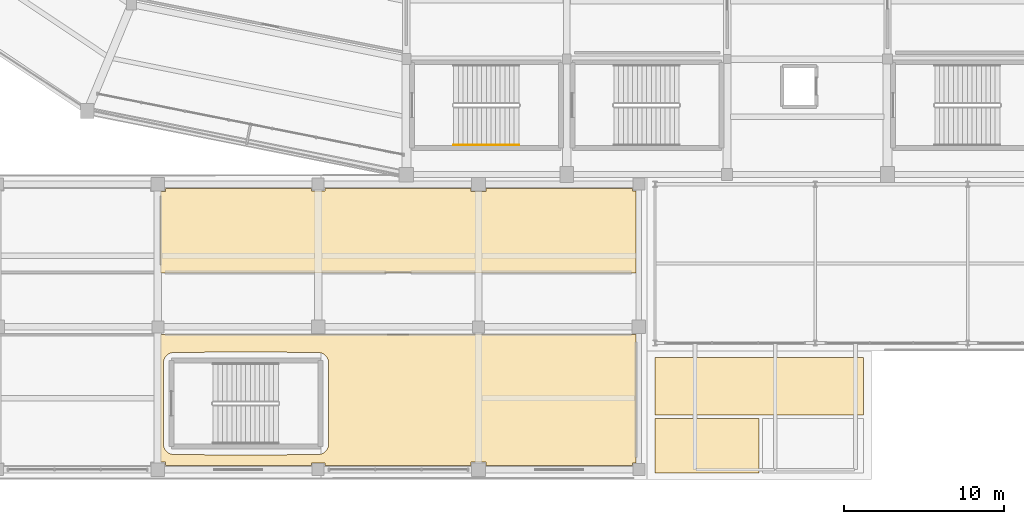
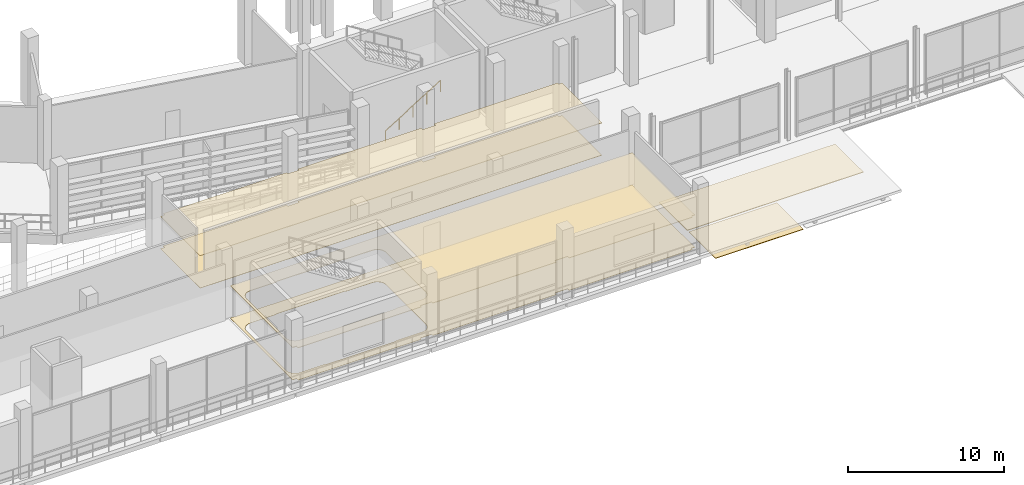
# One storey, part 94 of 114: 6 coverings, 1 railing.
"""IFC4 building model written with IfcOpenShell, lengths in metres."""

from ifc_helpers import new_model, si_unit, direction, frame, origin, origin_2d, place, context, subcontext, project, spatial, polyline, circle, outline, extrude, material, layer, layer_set, type_object, element, save


model = new_model("IFC4")

# Units and contexts
model_context = context("Model", 3, precision=1e-05, world=origin(), true_north=direction((0.0, 1.0)))
body_context = subcontext(model_context, "Body", "Model", "MODEL_VIEW")
ifc_project = project(units=[si_unit("LENGTHUNIT", "METRE"), si_unit("AREAUNIT", "SQUARE_METRE"), si_unit("VOLUMEUNIT", "CUBIC_METRE"), si_unit("PLANEANGLEUNIT", "RADIAN"), si_unit("MASSUNIT", "GRAM", prefix="KILO")], contexts=[model_context])

# Site, building, storey
site_placement = place(None, origin())
site = spatial("IfcSite", under=ifc_project, at=site_placement, CompositionType="ELEMENT")
building_placement = place(site_placement, origin())
building = spatial("IfcBuilding", under=site, at=building_placement, Name="Candeia Ridge Stadium", CompositionType="ELEMENT")
storey_placement = place(building_placement, frame((0.0, 0.0, 5.39990234375)))
storey = spatial("IfcBuildingStorey", under=building, at=storey_placement, Name="L01", CompositionType="ELEMENT", Elevation=5.39990234375)

# Coverings
ifc_material_1 = material(Name="Basalt Terrazzo Finish", Category="masonry")
ifc_layer_1 = layer(ifc_material_1, 0.02490234375, Name="Basalt Terrazzo Finish", Category="masonry")
ifc_layer_set_1 = layer_set([ifc_layer_1], Name="Basalt Terrazzo Finish")
covering_type_1 = type_object("IfcCoveringType", Name="Polished Basalt Terrazzo Flooring 25", PredefinedType="FLOORING", material=ifc_layer_set_1)
covering_1_placement = place(storey_placement, origin())
element("IfcCovering", 1, at=covering_1_placement, inside=storey, type_object=covering_type_1, Name="Interior finish flooring Museum Auditorium & Trophy Salon", PredefinedType="FLOORING", context=body_context, shape_type="SweptSolid", body=[
    extrude(outline(polyline([(55.670166015625, 9.0029296875), (55.670654296875, 9.005859375), (55.67138671875, 9.0087890625), (55.67236328125, 9.011474609375), (55.673583984375, 9.01416015625), (55.675048828125, 9.0166015625), (55.6767578125, 9.01904296875), (55.6787109375, 9.021240234375), (55.680908203125, 9.023193359375), (55.683349609375, 9.02490234375), (55.685791015625, 9.026611328125), (55.6884765625, 9.027587890625), (55.69140625, 9.02880859375), (55.694091796875, 9.029296875), (55.697021484375, 9.02978515625), (55.699951171875, 9.030029296875), (85.300048828125, 9.030029296875), (85.302978515625, 9.02978515625), (85.305908203125, 9.029296875), (85.30859375, 9.02880859375), (85.3115234375, 9.027587890625), (85.314208984375, 9.026611328125), (85.316650390625, 9.02490234375), (85.319091796875, 9.023193359375), (85.3212890625, 9.021240234375), (85.3232421875, 9.01904296875), (85.324951171875, 9.0166015625), (85.326416015625, 9.01416015625), (85.32763671875, 9.011474609375), (85.32861328125, 9.0087890625), (85.329345703125, 9.005859375), (85.329833984375, 9.0029296875), (85.330078125, 9.0), (85.330078125, 1.014892578125), (85.0849609375, 1.014892578125), (85.0849609375, 0.8701171875), (75.965087890625, 0.8701171875), (75.965087890625, 1.06494140625), (75.034912109375, 1.06494140625), (75.034912109375, 0.8701171875), (65.9150390625, 0.8701171875), (65.9150390625, 1.014892578125), (65.0849609375, 1.014892578125), (65.0849609375, 0.8701171875), (55.965087890625, 0.8701171875), (55.965087890625, 1.06494140625), (55.669921875, 1.06494140625), (55.669921875, 9.0), (55.670166015625, 9.0029296875)]), holes=[polyline([(56.5, 7.89990234375), (56.48291015625, 7.899658203125), (56.453369140625, 7.898193359375), (56.419189453125, 7.894775390625), (56.39013671875, 7.890380859375), (56.3564453125, 7.8837890625), (56.327880859375, 7.876708984375), (56.294921875, 7.86669921875), (56.267333984375, 7.856689453125), (56.235595703125, 7.843505859375), (56.208984375, 7.8310546875), (56.1787109375, 7.814697265625), (56.1533203125, 7.799560546875), (56.124755859375, 7.780517578125), (56.101318359375, 7.762939453125), (56.07470703125, 7.7412109375), (56.052734375, 7.721435546875), (56.028564453125, 7.697265625), (56.0087890625, 7.67529296875), (55.987060546875, 7.648681640625), (55.969482421875, 7.625244140625), (55.950439453125, 7.5966796875), (55.935302734375, 7.5712890625), (55.9189453125, 7.541015625), (55.906494140625, 7.514404296875), (55.893310546875, 7.482666015625), (55.88330078125, 7.455078125), (55.873291015625, 7.422119140625), (55.8662109375, 7.3935546875), (55.859619140625, 7.35986328125), (55.855224609375, 7.330810546875), (55.851806640625, 7.296630859375), (55.850341796875, 7.26708984375), (55.85009765625, 7.25), (55.85009765625, 2.199951171875), (55.850341796875, 2.182861328125), (55.851806640625, 2.1533203125), (55.855224609375, 2.119140625), (55.859619140625, 2.090087890625), (55.8662109375, 2.056396484375), (55.873291015625, 2.02783203125), (55.88330078125, 1.9951171875), (55.893310546875, 1.96728515625), (55.906494140625, 1.935546875), (55.9189453125, 1.908935546875), (55.935302734375, 1.878662109375), (55.950439453125, 1.853515625), (55.969482421875, 1.82470703125), (55.987060546875, 1.80126953125), (56.0087890625, 1.774658203125), (56.028564453125, 1.752685546875), (56.052734375, 1.728515625), (56.07470703125, 1.708740234375), (56.101318359375, 1.68701171875), (56.124755859375, 1.66943359375), (56.1533203125, 1.650390625), (56.1787109375, 1.63525390625), (56.208984375, 1.618896484375), (56.235595703125, 1.6064453125), (56.267333984375, 1.59326171875), (56.294921875, 1.58349609375), (56.327880859375, 1.573486328125), (56.3564453125, 1.56640625), (56.39013671875, 1.5595703125), (56.419189453125, 1.55517578125), (56.453369140625, 1.552001953125), (56.48291015625, 1.55029296875), (56.5, 1.550048828125), (58.37060546875, 1.550048828125), (58.385009765625, 1.541259765625), (58.416015625, 1.526611328125), (58.448486328125, 1.51513671875), (58.481689453125, 1.506591796875), (58.515625, 1.501708984375), (58.550048828125, 1.5), (63.409912109375, 1.5), (63.4443359375, 1.501708984375), (63.478271484375, 1.506591796875), (63.51171875, 1.51513671875), (63.5439453125, 1.526611328125), (63.574951171875, 1.541259765625), (63.589599609375, 1.550048828125), (65.5, 1.550048828125), (65.51708984375, 1.55029296875), (65.546630859375, 1.552001953125), (65.580810546875, 1.55517578125), (65.60986328125, 1.5595703125), (65.6435546875, 1.56640625), (65.672119140625, 1.573486328125), (65.705078125, 1.58349609375), (65.732666015625, 1.59326171875), (65.764404296875, 1.6064453125), (65.791015625, 1.618896484375), (65.8212890625, 1.63525390625), (65.8466796875, 1.650390625), (65.875244140625, 1.66943359375), (65.898681640625, 1.68701171875), (65.92529296875, 1.708740234375), (65.947265625, 1.728515625), (65.971435546875, 1.752685546875), (65.9912109375, 1.774658203125), (66.012939453125, 1.80126953125), (66.030517578125, 1.82470703125), (66.049560546875, 1.853515625), (66.064697265625, 1.878662109375), (66.0810546875, 1.908935546875), (66.093505859375, 1.935546875), (66.106689453125, 1.96728515625), (66.11669921875, 1.9951171875), (66.126708984375, 2.02783203125), (66.1337890625, 2.056396484375), (66.140380859375, 2.090087890625), (66.144775390625, 2.119140625), (66.148193359375, 2.1533203125), (66.149658203125, 2.182861328125), (66.14990234375, 2.199951171875), (66.14990234375, 7.25), (66.149658203125, 7.26708984375), (66.148193359375, 7.296630859375), (66.144775390625, 7.330810546875), (66.140380859375, 7.35986328125), (66.1337890625, 7.3935546875), (66.126708984375, 7.422119140625), (66.11669921875, 7.455078125), (66.106689453125, 7.482666015625), (66.093505859375, 7.514404296875), (66.0810546875, 7.541015625), (66.064697265625, 7.5712890625), (66.049560546875, 7.5966796875), (66.030517578125, 7.625244140625), (66.012939453125, 7.648681640625), (65.9912109375, 7.67529296875), (65.971435546875, 7.697265625), (65.947265625, 7.721435546875), (65.92529296875, 7.7412109375), (65.898681640625, 7.762939453125), (65.875244140625, 7.780517578125), (65.8466796875, 7.799560546875), (65.8212890625, 7.814697265625), (65.791015625, 7.8310546875), (65.764404296875, 7.843505859375), (65.732666015625, 7.856689453125), (65.705078125, 7.86669921875), (65.672119140625, 7.876708984375), (65.6435546875, 7.8837890625), (65.60986328125, 7.890380859375), (65.580810546875, 7.894775390625), (65.546630859375, 7.898193359375), (65.51708984375, 7.899658203125), (65.5, 7.89990234375), (63.589599609375, 7.89990234375), (63.574951171875, 7.90869140625), (63.5439453125, 7.92333984375), (63.51171875, 7.934814453125), (63.478271484375, 7.943359375), (63.4443359375, 7.9482421875), (63.409912109375, 7.949951171875), (58.550048828125, 7.949951171875), (58.515625, 7.9482421875), (58.481689453125, 7.943359375), (58.448486328125, 7.934814453125), (58.416015625, 7.92333984375), (58.385009765625, 7.90869140625), (58.37060546875, 7.89990234375), (56.5, 7.89990234375)])]), origin(), (0.0, 0.0, 1.0), 0.02001953125),
])
covering_2_placement = place(storey_placement, origin())
element("IfcCovering", 2, at=covering_2_placement, inside=storey, type_object=covering_type_1, Name="Interior finish flooring Museum Auditorium & Trophy Salon North Hall", PredefinedType="FLOORING", context=body_context, shape_type="SweptSolid", body=[
    extrude(outline(polyline([(55.694091796875, 12.87060546875), (55.69140625, 12.871337890625), (55.6884765625, 12.872314453125), (55.685791015625, 12.87353515625), (55.683349609375, 12.875), (55.680908203125, 12.876708984375), (55.6787109375, 12.87890625), (55.6767578125, 12.881103515625), (55.675048828125, 12.88330078125), (55.673583984375, 12.885986328125), (55.67236328125, 12.888427734375), (55.67138671875, 12.891357421875), (55.670654296875, 12.89404296875), (55.670166015625, 12.897216796875), (55.669921875, 12.89990234375), (55.669921875, 17.93505859375), (55.965087890625, 17.93505859375), (55.965087890625, 18.1298828125), (65.0849609375, 18.1298828125), (65.0849609375, 17.985107421875), (65.9150390625, 17.985107421875), (65.9150390625, 18.1298828125), (75.034912109375, 18.1298828125), (75.034912109375, 17.93505859375), (75.965087890625, 17.93505859375), (75.965087890625, 18.1298828125), (85.0849609375, 18.1298828125), (85.0849609375, 17.985107421875), (85.330078125, 17.985107421875), (85.330078125, 12.89990234375), (85.329833984375, 12.897216796875), (85.329345703125, 12.89404296875), (85.32861328125, 12.891357421875), (85.32763671875, 12.888427734375), (85.326416015625, 12.885986328125), (85.324951171875, 12.88330078125), (85.3232421875, 12.881103515625), (85.3212890625, 12.87890625), (85.319091796875, 12.876708984375), (85.316650390625, 12.875), (85.314208984375, 12.87353515625), (85.3115234375, 12.872314453125), (85.30859375, 12.871337890625), (85.305908203125, 12.87060546875), (85.302978515625, 12.8701171875), (85.300048828125, 12.8701171875), (55.699951171875, 12.8701171875), (55.697021484375, 12.8701171875), (55.694091796875, 12.87060546875)])), origin(), (0.0, 0.0, 1.0), 0.02001953125),
])
ifc_material_2 = material(Name="Western Red Cedar Acoustic Slat", Category="wood")
ifc_layer_2 = layer(ifc_material_2, 0.044921875, Name="Western Red Cedar Acoustic Slat", Category="wood")
ifc_layer_set_2 = layer_set([ifc_layer_2], Name="Western Red Cedar Acoustic Slat")
covering_type_2 = type_object("IfcCoveringType", Name="Slatted Cedar Acoustic Ceiling 45", PredefinedType="CEILING", material=ifc_layer_set_2)
covering_3_placement = place(storey_placement, frame((0.0, 0.0, 2.510009765625)))
element("IfcCovering", 3, at=covering_3_placement, inside=storey, type_object=covering_type_2, Name="Acoustic ceiling Museum Auditorium & Trophy Salon", PredefinedType="CEILING", context=body_context, shape_type="SweptSolid", body=[
    extrude(outline(polyline([(55.670166015625, 9.0029296875), (55.670654296875, 9.005859375), (55.67138671875, 9.0087890625), (55.67236328125, 9.011474609375), (55.673583984375, 9.01416015625), (55.675048828125, 9.0166015625), (55.6767578125, 9.01904296875), (55.6787109375, 9.021240234375), (55.680908203125, 9.023193359375), (55.683349609375, 9.02490234375), (55.685791015625, 9.026611328125), (55.6884765625, 9.027587890625), (55.69140625, 9.02880859375), (55.694091796875, 9.029296875), (55.697021484375, 9.02978515625), (55.699951171875, 9.030029296875), (85.300048828125, 9.030029296875), (85.302978515625, 9.02978515625), (85.305908203125, 9.029296875), (85.30859375, 9.02880859375), (85.3115234375, 9.027587890625), (85.314208984375, 9.026611328125), (85.316650390625, 9.02490234375), (85.319091796875, 9.023193359375), (85.3212890625, 9.021240234375), (85.3232421875, 9.01904296875), (85.324951171875, 9.0166015625), (85.326416015625, 9.01416015625), (85.32763671875, 9.011474609375), (85.32861328125, 9.0087890625), (85.329345703125, 9.005859375), (85.329833984375, 9.0029296875), (85.330078125, 9.0), (85.330078125, 1.014892578125), (85.0849609375, 1.014892578125), (85.0849609375, 0.8701171875), (75.965087890625, 0.8701171875), (75.965087890625, 1.06494140625), (75.034912109375, 1.06494140625), (75.034912109375, 0.8701171875), (65.9150390625, 0.8701171875), (65.9150390625, 1.014892578125), (65.0849609375, 1.014892578125), (65.0849609375, 0.8701171875), (55.965087890625, 0.8701171875), (55.965087890625, 1.06494140625), (55.669921875, 1.06494140625), (55.669921875, 9.0), (55.670166015625, 9.0029296875)]), holes=[polyline([(56.5, 7.89990234375), (56.48291015625, 7.899658203125), (56.453369140625, 7.898193359375), (56.419189453125, 7.894775390625), (56.39013671875, 7.890380859375), (56.3564453125, 7.8837890625), (56.327880859375, 7.876708984375), (56.294921875, 7.86669921875), (56.267333984375, 7.856689453125), (56.235595703125, 7.843505859375), (56.208984375, 7.8310546875), (56.1787109375, 7.814697265625), (56.1533203125, 7.799560546875), (56.124755859375, 7.780517578125), (56.101318359375, 7.762939453125), (56.07470703125, 7.7412109375), (56.052734375, 7.721435546875), (56.028564453125, 7.697265625), (56.0087890625, 7.67529296875), (55.987060546875, 7.648681640625), (55.969482421875, 7.625244140625), (55.950439453125, 7.5966796875), (55.935302734375, 7.5712890625), (55.9189453125, 7.541015625), (55.906494140625, 7.514404296875), (55.893310546875, 7.482666015625), (55.88330078125, 7.455078125), (55.873291015625, 7.422119140625), (55.8662109375, 7.3935546875), (55.859619140625, 7.35986328125), (55.855224609375, 7.330810546875), (55.851806640625, 7.296630859375), (55.850341796875, 7.26708984375), (55.85009765625, 7.25), (55.85009765625, 2.199951171875), (55.850341796875, 2.182861328125), (55.851806640625, 2.1533203125), (55.855224609375, 2.119140625), (55.859619140625, 2.090087890625), (55.8662109375, 2.056396484375), (55.873291015625, 2.02783203125), (55.88330078125, 1.9951171875), (55.893310546875, 1.96728515625), (55.906494140625, 1.935546875), (55.9189453125, 1.908935546875), (55.935302734375, 1.878662109375), (55.950439453125, 1.853515625), (55.969482421875, 1.82470703125), (55.987060546875, 1.80126953125), (56.0087890625, 1.774658203125), (56.028564453125, 1.752685546875), (56.052734375, 1.728515625), (56.07470703125, 1.708740234375), (56.101318359375, 1.68701171875), (56.124755859375, 1.66943359375), (56.1533203125, 1.650390625), (56.1787109375, 1.63525390625), (56.208984375, 1.618896484375), (56.235595703125, 1.6064453125), (56.267333984375, 1.59326171875), (56.294921875, 1.58349609375), (56.327880859375, 1.573486328125), (56.3564453125, 1.56640625), (56.39013671875, 1.5595703125), (56.419189453125, 1.55517578125), (56.453369140625, 1.552001953125), (56.48291015625, 1.55029296875), (56.5, 1.550048828125), (58.37060546875, 1.550048828125), (58.385009765625, 1.541259765625), (58.416015625, 1.526611328125), (58.448486328125, 1.51513671875), (58.481689453125, 1.506591796875), (58.515625, 1.501708984375), (58.550048828125, 1.5), (63.409912109375, 1.5), (63.4443359375, 1.501708984375), (63.478271484375, 1.506591796875), (63.51171875, 1.51513671875), (63.5439453125, 1.526611328125), (63.574951171875, 1.541259765625), (63.589599609375, 1.550048828125), (65.5, 1.550048828125), (65.51708984375, 1.55029296875), (65.546630859375, 1.552001953125), (65.580810546875, 1.55517578125), (65.60986328125, 1.5595703125), (65.6435546875, 1.56640625), (65.672119140625, 1.573486328125), (65.705078125, 1.58349609375), (65.732666015625, 1.59326171875), (65.764404296875, 1.6064453125), (65.791015625, 1.618896484375), (65.8212890625, 1.63525390625), (65.8466796875, 1.650390625), (65.875244140625, 1.66943359375), (65.898681640625, 1.68701171875), (65.92529296875, 1.708740234375), (65.947265625, 1.728515625), (65.971435546875, 1.752685546875), (65.9912109375, 1.774658203125), (66.012939453125, 1.80126953125), (66.030517578125, 1.82470703125), (66.049560546875, 1.853515625), (66.064697265625, 1.878662109375), (66.0810546875, 1.908935546875), (66.093505859375, 1.935546875), (66.106689453125, 1.96728515625), (66.11669921875, 1.9951171875), (66.126708984375, 2.02783203125), (66.1337890625, 2.056396484375), (66.140380859375, 2.090087890625), (66.144775390625, 2.119140625), (66.148193359375, 2.1533203125), (66.149658203125, 2.182861328125), (66.14990234375, 2.199951171875), (66.14990234375, 7.25), (66.149658203125, 7.26708984375), (66.148193359375, 7.296630859375), (66.144775390625, 7.330810546875), (66.140380859375, 7.35986328125), (66.1337890625, 7.3935546875), (66.126708984375, 7.422119140625), (66.11669921875, 7.455078125), (66.106689453125, 7.482666015625), (66.093505859375, 7.514404296875), (66.0810546875, 7.541015625), (66.064697265625, 7.5712890625), (66.049560546875, 7.5966796875), (66.030517578125, 7.625244140625), (66.012939453125, 7.648681640625), (65.9912109375, 7.67529296875), (65.971435546875, 7.697265625), (65.947265625, 7.721435546875), (65.92529296875, 7.7412109375), (65.898681640625, 7.762939453125), (65.875244140625, 7.780517578125), (65.8466796875, 7.799560546875), (65.8212890625, 7.814697265625), (65.791015625, 7.8310546875), (65.764404296875, 7.843505859375), (65.732666015625, 7.856689453125), (65.705078125, 7.86669921875), (65.672119140625, 7.876708984375), (65.6435546875, 7.8837890625), (65.60986328125, 7.890380859375), (65.580810546875, 7.894775390625), (65.546630859375, 7.898193359375), (65.51708984375, 7.899658203125), (65.5, 7.89990234375), (63.589599609375, 7.89990234375), (63.574951171875, 7.90869140625), (63.5439453125, 7.92333984375), (63.51171875, 7.934814453125), (63.478271484375, 7.943359375), (63.4443359375, 7.9482421875), (63.409912109375, 7.949951171875), (58.550048828125, 7.949951171875), (58.515625, 7.9482421875), (58.481689453125, 7.943359375), (58.448486328125, 7.934814453125), (58.416015625, 7.92333984375), (58.385009765625, 7.90869140625), (58.37060546875, 7.89990234375), (56.5, 7.89990234375)])]), origin(), (0.0, 0.0, 1.0), 0.0400390625),
])
covering_4_placement = place(storey_placement, frame((0.0, 0.0, 2.510009765625)))
element("IfcCovering", 4, at=covering_4_placement, inside=storey, type_object=covering_type_2, Name="Acoustic ceiling Museum Auditorium & Trophy Salon North Hall", PredefinedType="CEILING", context=body_context, shape_type="SweptSolid", body=[
    extrude(outline(polyline([(55.694091796875, 12.87060546875), (55.69140625, 12.871337890625), (55.6884765625, 12.872314453125), (55.685791015625, 12.87353515625), (55.683349609375, 12.875), (55.680908203125, 12.876708984375), (55.6787109375, 12.87890625), (55.6767578125, 12.881103515625), (55.675048828125, 12.88330078125), (55.673583984375, 12.885986328125), (55.67236328125, 12.888427734375), (55.67138671875, 12.891357421875), (55.670654296875, 12.89404296875), (55.670166015625, 12.897216796875), (55.669921875, 12.89990234375), (55.669921875, 17.93505859375), (55.965087890625, 17.93505859375), (55.965087890625, 18.1298828125), (65.0849609375, 18.1298828125), (65.0849609375, 17.985107421875), (65.9150390625, 17.985107421875), (65.9150390625, 18.1298828125), (75.034912109375, 18.1298828125), (75.034912109375, 17.93505859375), (75.965087890625, 17.93505859375), (75.965087890625, 18.1298828125), (85.0849609375, 18.1298828125), (85.0849609375, 17.985107421875), (85.330078125, 17.985107421875), (85.330078125, 12.89990234375), (85.329833984375, 12.897216796875), (85.329345703125, 12.89404296875), (85.32861328125, 12.891357421875), (85.32763671875, 12.888427734375), (85.326416015625, 12.885986328125), (85.324951171875, 12.88330078125), (85.3232421875, 12.881103515625), (85.3212890625, 12.87890625), (85.319091796875, 12.876708984375), (85.316650390625, 12.875), (85.314208984375, 12.87353515625), (85.3115234375, 12.872314453125), (85.30859375, 12.871337890625), (85.305908203125, 12.87060546875), (85.302978515625, 12.8701171875), (85.300048828125, 12.8701171875), (55.699951171875, 12.8701171875), (55.697021484375, 12.8701171875), (55.694091796875, 12.87060546875)])), origin(), (0.0, 0.0, 1.0), 0.0400390625),
])

# Railing
ifc_material_3 = material(Name="Brushed Stainless Steel", Category="steel")
ifc_layer_3 = layer(ifc_material_3, 0.048095703125, Name="Brushed Stainless Steel", Category="steel")
ifc_layer_set_3 = layer_set([ifc_layer_3], Name="Brushed Stainless Steel")
railing_type = type_object("IfcRailingType", Name="Stair Wall & Flight Handrail 900", PredefinedType="HANDRAIL", material=ifc_layer_set_3)
railing_placement = place(storey_placement, frame((73.949951171875, 20.85009765625, 0.18017578125)))
element("IfcRailing", 5, at=railing_placement, inside=storey, type_object=railing_type, Name="L01 ST02 stair handrail 1", PredefinedType="HANDRAIL", context=body_context, shape_type="SweptSolid", body=[
    extrude(circle(Radius=0.02392578125, at=origin_2d()), frame((0.0, 0.0, 0.8759765625), z_axis=(0.849641744969, 0.0, 0.527360318194), x_axis=(0.0, 1.0, 0.0)), (0.0, 0.0, 1.0), 4.778564453125),
    extrude(circle(Radius=0.02099609375, at=origin_2d()), origin(), (0.0, 0.0, 1.0), 0.851806640625),
    extrude(circle(Radius=0.02099609375, at=origin_2d()), frame((1.01513671875, 0.0, 0.6298828125)), (0.0, 0.0, 1.0), 0.851806640625),
    extrude(circle(Radius=0.02099609375, at=origin_2d()), frame((2.030029296875, 0.0, 1.260009765625)), (0.0, 0.0, 1.0), 0.851806640625),
    extrude(circle(Radius=0.02099609375, at=origin_2d()), frame((3.044921875, 0.0, 1.89013671875)), (0.0, 0.0, 1.0), 0.851806640625),
    extrude(circle(Radius=0.02099609375, at=origin_2d()), frame((4.06005859375, 0.0, 2.52001953125)), (0.0, 0.0, 1.0), 0.851806640625),
])

# Coverings
ifc_material_4 = material(Name="Western Red Cedar Timber", Category="wood")
ifc_layer_4 = layer(ifc_material_4, 0.0400390625, Name="Western Red Cedar Timber", Category="wood")
ifc_layer_set_4 = layer_set([ifc_layer_4], Name="Western Red Cedar Timber")
covering_type_3 = type_object("IfcCoveringType", Name="Western Red Cedar Exterior Soffit Cladding", PredefinedType="CLADDING", material=ifc_layer_set_4)
covering_5_placement = place(storey_placement, frame((0.0, 0.0, -0.919921875)))
element("IfcCovering", 6, at=covering_5_placement, inside=storey, type_object=covering_type_3, Name="Western red cedar canopy soffit cladding 01", PredefinedType="CLADDING", context=body_context, shape_type="SweptSolid", body=[
    extrude(outline(polyline([(86.5, 0.39990234375), (93.0, 0.39990234375), (93.0, 3.800048828125), (86.5, 3.800048828125), (86.5, 0.39990234375)])), origin(), (0.0, 0.0, 1.0), 0.044921875),
])
covering_6_placement = place(storey_placement, frame((0.0, 0.0, -0.919921875)))
element("IfcCovering", 7, at=covering_6_placement, inside=storey, type_object=covering_type_3, Name="Western red cedar canopy soffit cladding 05", PredefinedType="CLADDING", context=body_context, shape_type="SweptSolid", body=[
    extrude(outline(polyline([(86.5, 4.0), (99.5, 4.0), (99.5, 7.60009765625), (86.5, 7.60009765625), (86.5, 4.0)])), origin(), (0.0, 0.0, 1.0), 0.044921875),
])

save(model, "model.ifc")
